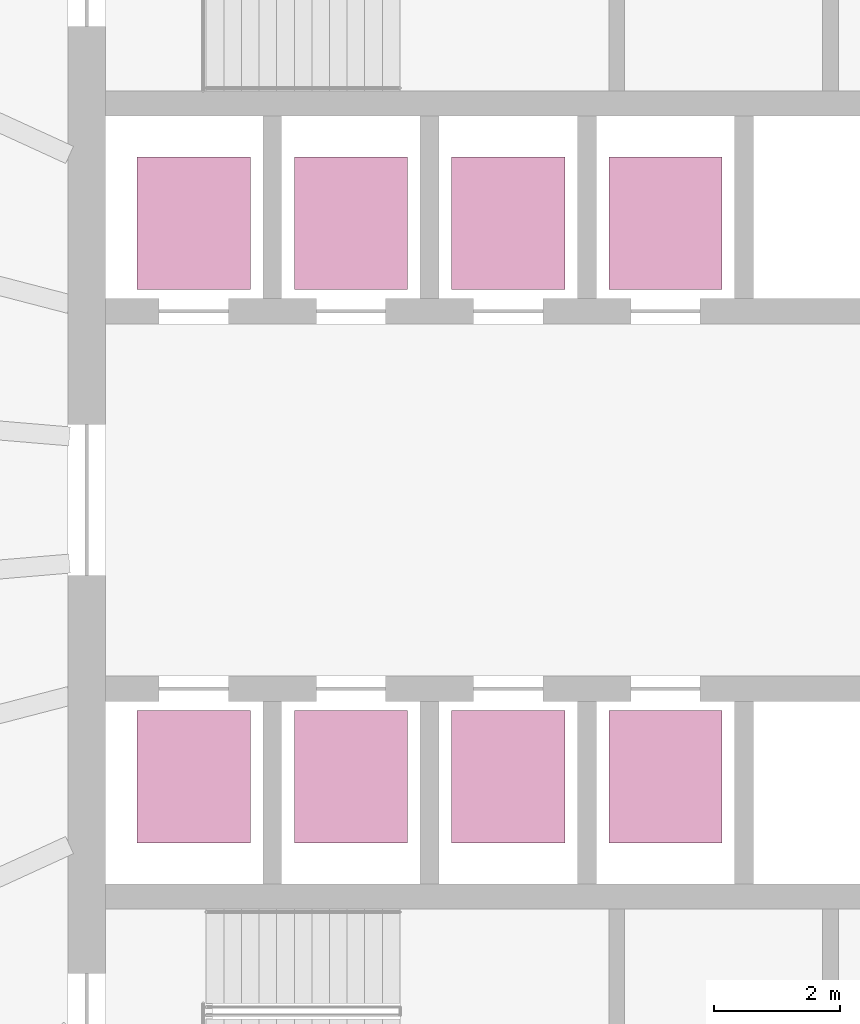
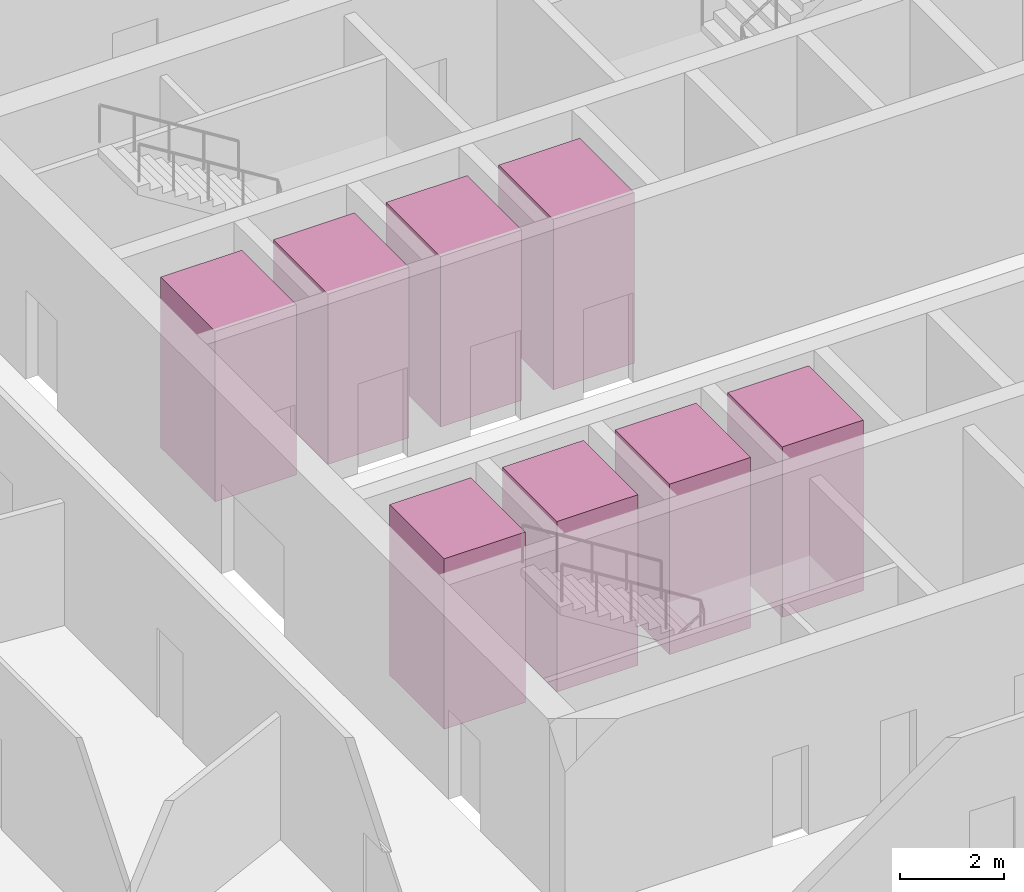
# One storey, part 10 of 10: 8 transport elements.
"""IFC4 building model written with IfcOpenShell, lengths in metres."""

from ifc_helpers import new_model, si_unit, direction, frame, origin, origin_2d, place, context, subcontext, project, spatial, rectangle, extrude, material, type_object, element, save


model = new_model("IFC4")

# Units and contexts
model_context = context("Model", 3, precision=1e-05, world=origin(), true_north=direction((0.0, 1.0)))
body_context = subcontext(model_context, "Body", "Model", "MODEL_VIEW")
ifc_project = project(units=[si_unit("LENGTHUNIT", "METRE"), si_unit("AREAUNIT", "SQUARE_METRE"), si_unit("VOLUMEUNIT", "CUBIC_METRE"), si_unit("PLANEANGLEUNIT", "RADIAN"), si_unit("MASSUNIT", "GRAM", prefix="KILO")], contexts=[model_context])

# Site, building, storey
site_placement = place(None, origin())
site = spatial("IfcSite", under=ifc_project, at=site_placement, CompositionType="ELEMENT")
building_placement = place(site_placement, origin())
building = spatial("IfcBuilding", under=site, at=building_placement, Name="Halqa Exchange Tower", CompositionType="ELEMENT")
storey_placement = place(building_placement, frame((0.0, 0.0, 52.89990234375)))
storey = spatial("IfcBuildingStorey", under=building, at=storey_placement, Name="L11", CompositionType="ELEMENT", Elevation=52.89990234375)

# Transport elements
ifc_material = material(Name="Stainless steel", Category="steel")
transport_element_type = type_object("IfcTransportElementType", Name="Low-rise passenger lift 1800 x 2100", PredefinedType="ELEVATOR", material=ifc_material)
for number, where, z_axis, x_axis, name in (
    (1, (-10.0, 4.39990234375, 0.0), (0.0, 0.0, 1.0), (1.0, 0.0, 0.0), "Low-rise passenger lift LR1"),
    (2, (-7.5, 4.39990234375, 0.0), (0.0, 0.0, 1.0), (1.0, 0.0, 0.0), "Low-rise passenger lift LR2"),
    (3, (-5.0, 4.39990234375, 0.0), (0.0, 0.0, 1.0), (1.0, 0.0, 0.0), "Low-rise passenger lift LR3"),
    (4, (-2.5, 4.39990234375, 0.0), (0.0, 0.0, 1.0), (1.0, 0.0, 0.0), "Low-rise passenger lift LR4"),
    (5, (-10.0, -4.39990234375, 0.0), (0.0, 0.0, 1.0), (1.0, 0.0, 0.0), "Low-rise passenger lift LR5"),
    (6, (-7.5, -4.39990234375, 0.0), (0.0, 0.0, 1.0), (1.0, 0.0, 0.0), "Low-rise passenger lift LR6"),
    (7, (-5.0, -4.39990234375, 0.0), (0.0, 0.0, 1.0), (1.0, 0.0, 0.0), "Low-rise passenger lift LR7"),
    (8, (-2.5, -4.39990234375, 0.0), (0.0, 0.0, 1.0), (1.0, 0.0, 0.0), "Low-rise passenger lift LR8"),
):
    element("IfcTransportElement", number, at=place(storey_placement, frame(where, z_axis=z_axis, x_axis=x_axis)), inside=storey, type_object=transport_element_type, Name=name, PredefinedType="ELEVATOR", context=body_context, shape_type="SweptSolid", body=[
        extrude(rectangle(XDim=1.800048828125, YDim=2.10009765625, at=origin_2d()), origin(), (0.0, 0.0, 1.0), 4.0),
    ])

save(model, "model.ifc")
